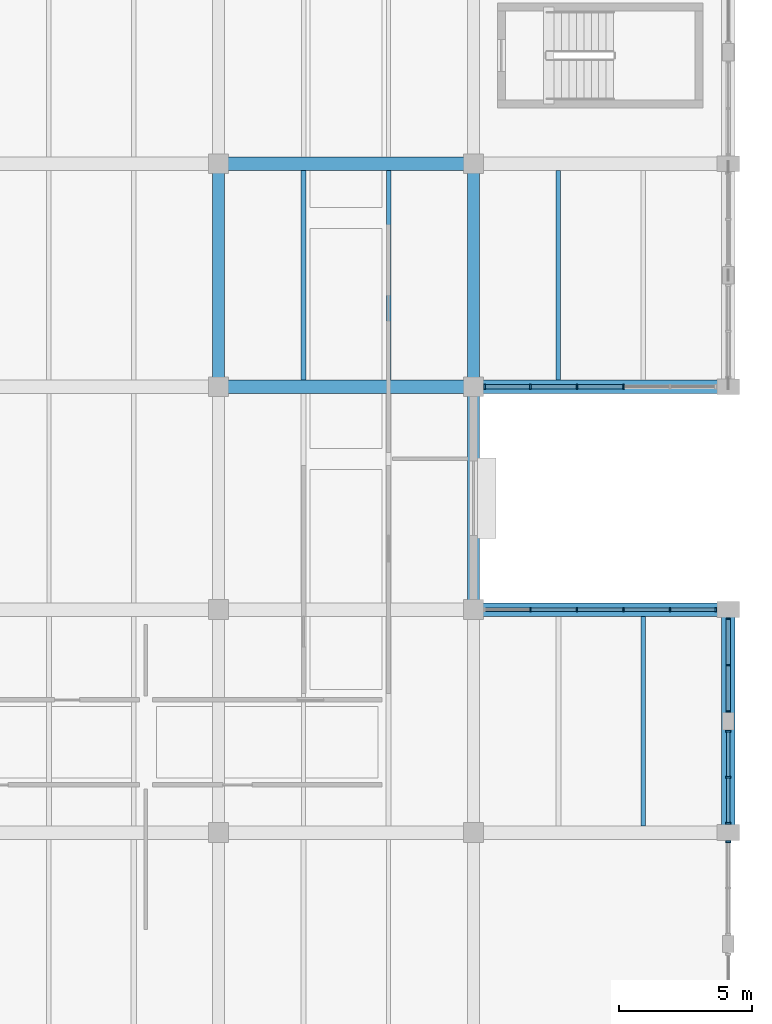
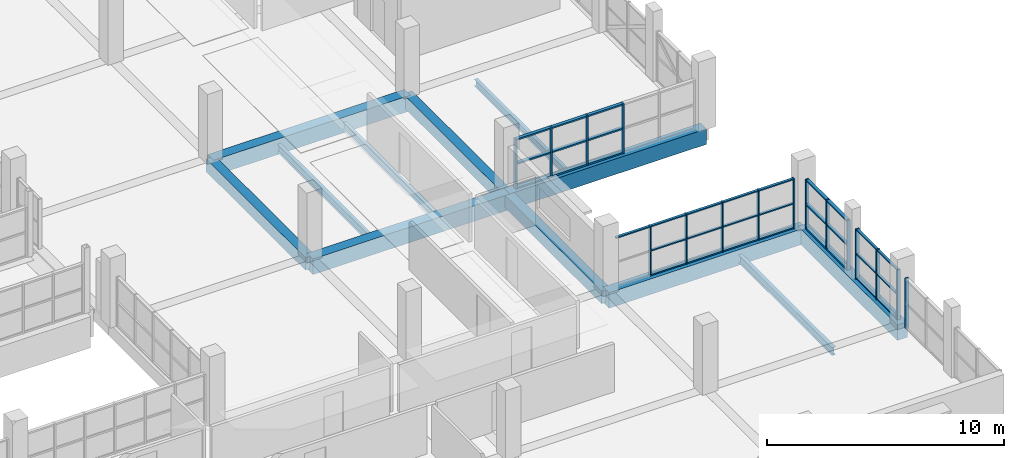
# One storey, part 69 of 147: 50 members, 12 beams, 5 elements without a shape of their own.
"""IFC4 building model written with IfcOpenShell, lengths in metres."""

from ifc_helpers import new_model, si_unit, direction, frame, origin, origin_2d, place, context, subcontext, project, spatial, rectangle, i_section, extrude, material, material_profile, profile_set, type_object, element, aggregate, save


model = new_model("IFC4")

# Units and contexts
model_context = context("Model", 3, precision=1e-05, world=origin(), true_north=direction((0.0, 1.0)))
body_context = subcontext(model_context, "Body", "Model", "MODEL_VIEW")
ifc_project = project(units=[si_unit("LENGTHUNIT", "METRE"), si_unit("AREAUNIT", "SQUARE_METRE"), si_unit("VOLUMEUNIT", "CUBIC_METRE"), si_unit("PLANEANGLEUNIT", "RADIAN"), si_unit("MASSUNIT", "GRAM", prefix="KILO")], contexts=[model_context])

# Site, building, storey
site_placement = place(None, origin())
site = spatial("IfcSite", under=ifc_project, at=site_placement, CompositionType="ELEMENT")
building_placement = place(site_placement, origin())
building = spatial("IfcBuilding", under=site, at=building_placement, Name="Oolite Switchyard Hospital", CompositionType="ELEMENT")
storey_placement = place(building_placement, frame((0.0, 0.0, 9.89990234375)))
storey = spatial("IfcBuildingStorey", under=building, at=storey_placement, Name="L02", CompositionType="ELEMENT", Elevation=9.89990234375)

# Beams
ifc_material_1 = material(Name="Concrete C40/50", Category="concrete")
ifc_material_profile_1 = material_profile(ifc_material_1, rectangle(XDim=0.449951171875, YDim=0.64990234375, at=origin_2d()), Name="RCB450X650")
ifc_profile_set_1 = profile_set([ifc_material_profile_1], Name="Concrete C40/50")
beam_type_1 = type_object("IfcBeamType", Name="BM-RC450X650", PredefinedType="BEAM", material=ifc_profile_set_1)
beam_1_placement = place(storey_placement, frame((192.0, 33.60009765625, -0.324951171875), z_axis=(0.0, 1.0, 0.0), x_axis=(-1.0, 0.0, 0.0)))
element("IfcBeam", 1, at=beam_1_placement, inside=storey, type_object=beam_type_1, Name="L02 Y-Girder 1482", PredefinedType="BEAM", context=body_context, shape_type="SweptSolid", body=[
    extrude(rectangle(XDim=0.449951171875, YDim=0.64990234375, at=origin_2d()), origin(), (0.0, 0.0, 1.0), 8.39990234375),
])
beam_2_placement = place(storey_placement, frame((201.60009765625, 25.199951171875, -0.324951171875), z_axis=(0.0, 1.0, 0.0), x_axis=(-1.0, 0.0, 0.0)))
element("IfcBeam", 2, at=beam_2_placement, inside=storey, type_object=beam_type_1, Name="L02 Y-Girder 1493", PredefinedType="BEAM", context=body_context, shape_type="SweptSolid", body=[
    extrude(rectangle(XDim=0.449951171875, YDim=0.64990234375, at=origin_2d()), origin(), (0.0, 0.0, 1.0), 8.400146484375),
])
beam_3_placement = place(storey_placement, frame((201.60009765625, 33.60009765625, -0.324951171875), z_axis=(0.0, 1.0, 0.0), x_axis=(-1.0, 0.0, 0.0)))
element("IfcBeam", 3, at=beam_3_placement, inside=storey, type_object=beam_type_1, Name="L02 Y-Girder 1494", PredefinedType="BEAM", context=body_context, shape_type="SweptSolid", body=[
    extrude(rectangle(XDim=0.449951171875, YDim=0.64990234375, at=origin_2d()), origin(), (0.0, 0.0, 1.0), 8.39990234375),
])
ifc_material_profile_2 = material_profile(ifc_material_1, rectangle(XDim=0.5, YDim=0.800048828125, at=origin_2d()), Name="RCB500X800")
ifc_profile_set_2 = profile_set([ifc_material_profile_2], Name="Concrete C40/50")
beam_type_2 = type_object("IfcBeamType", Name="BM-RC500X800", PredefinedType="BEAM", material=ifc_profile_set_2)
beam_4_placement = place(storey_placement, frame((201.60009765625, 25.199951171875, -0.39990234375), z_axis=(1.0, 0.0, 0.0), x_axis=(0.0, 1.0, 0.0)))
element("IfcBeam", 4, at=beam_4_placement, inside=storey, type_object=beam_type_2, Name="L02 X-Girder 1033", PredefinedType="BEAM", context=body_context, shape_type="SweptSolid", body=[
    extrude(rectangle(XDim=0.5, YDim=0.800048828125, at=origin_2d()), origin(), (0.0, 0.0, 1.0), 9.599853515625),
])
beam_5_placement = place(storey_placement, frame((192.0, 33.60009765625, -0.39990234375), z_axis=(1.0, 0.0, 0.0), x_axis=(0.0, 1.0, 0.0)))
element("IfcBeam", 5, at=beam_5_placement, inside=storey, type_object=beam_type_2, Name="L02 X-Girder 1044", PredefinedType="BEAM", context=body_context, shape_type="SweptSolid", body=[
    extrude(rectangle(XDim=0.5, YDim=0.800048828125, at=origin_2d()), origin(), (0.0, 0.0, 1.0), 9.60009765625),
])
beam_6_placement = place(storey_placement, frame((201.60009765625, 33.60009765625, -0.39990234375), z_axis=(1.0, 0.0, 0.0), x_axis=(0.0, 1.0, 0.0)))
element("IfcBeam", 6, at=beam_6_placement, inside=storey, type_object=beam_type_2, Name="L02 X-Girder 1045", PredefinedType="BEAM", context=body_context, shape_type="SweptSolid", body=[
    extrude(rectangle(XDim=0.5, YDim=0.800048828125, at=origin_2d()), origin(), (0.0, 0.0, 1.0), 9.599853515625),
])
beam_7_placement = place(storey_placement, frame((192.0, 42.0, -0.39990234375), z_axis=(1.0, 0.0, 0.0), x_axis=(0.0, 1.0, 0.0)))
element("IfcBeam", 7, at=beam_7_placement, inside=storey, type_object=beam_type_2, Name="L02 X-Girder 1060", PredefinedType="BEAM", context=body_context, shape_type="SweptSolid", body=[
    extrude(rectangle(XDim=0.5, YDim=0.800048828125, at=origin_2d()), origin(), (0.0, 0.0, 1.0), 9.60009765625),
])
beam_8_placement = place(storey_placement, frame((211.199951171875, 16.800048828125, -0.39990234375), z_axis=(0.0, 1.0, 0.0), x_axis=(-1.0, 0.0, 0.0)))
element("IfcBeam", 8, at=beam_8_placement, inside=storey, type_object=beam_type_2, Name="L02 Y-Girder 1503", PredefinedType="BEAM", context=body_context, shape_type="SweptSolid", body=[
    extrude(rectangle(XDim=0.5, YDim=0.800048828125, at=origin_2d()), origin(), (0.0, 0.0, 1.0), 8.39990234375),
])
ifc_material_2 = material(Name="Steel ASTM A992 Grade 50", Category="steel")
ifc_material_profile_3 = material_profile(ifc_material_2, i_section(OverallWidth=0.1708984375, OverallDepth=0.35107421875, WebThickness=0.007080078125, FlangeThickness=0.010009765625, at=origin_2d()), Name="W14X30")
ifc_profile_set_3 = profile_set([ifc_material_profile_3], Name="Steel ASTM A992 Grade 50")
beam_type_3 = type_object("IfcBeamType", Name="BM-W14X30", PredefinedType="JOIST", material=ifc_profile_set_3)
for number, where, z_axis, x_axis, name in (
    (9, (198.39990234375, 33.85009765625, -0.434814453125), (0.0, 1.0, 0.0), (-1.0, 0.0, 0.0), "L02 Secondary Steel Joist 1895"),
    (10, (204.800048828125, 33.85009765625, -0.434814453125), (0.0, 1.0, 0.0), (-1.0, 0.0, 0.0), "L02 Secondary Steel Joist 1912"),
):
    element("IfcBeam", number, at=place(storey_placement, frame(where, z_axis=z_axis, x_axis=x_axis)), inside=storey, type_object=beam_type_3, Name=name, PredefinedType="JOIST", context=body_context, shape_type="SweptSolid", body=[
        extrude(i_section(OverallWidth=0.1708984375, OverallDepth=0.35107421875, WebThickness=0.007080078125, FlangeThickness=0.010009765625, at=origin_2d()), origin(), (0.0, 0.0, 1.0), 7.89990234375),
    ])
ifc_material_profile_4 = material_profile(ifc_material_2, i_section(OverallWidth=0.177978515625, OverallDepth=0.403076171875, WebThickness=0.008056640625, FlangeThickness=0.010986328125, at=origin_2d()), Name="W16X36")
ifc_profile_set_4 = profile_set([ifc_material_profile_4], Name="Steel ASTM A992 Grade 50")
beam_type_4 = type_object("IfcBeamType", Name="BM-W16X36", PredefinedType="JOIST", material=ifc_profile_set_4)
for number, where, z_axis, x_axis, name in (
    (11, (195.199951171875, 33.85009765625, -0.4609375), (0.0, 1.0, 0.0), (-1.0, 0.0, 0.0), "L02 Secondary Steel Joist 1894"),
    (12, (208.0, 17.050048828125, -0.4609375), (0.0, 1.0, 0.0), (-1.0, 0.0, 0.0), "L02 Secondary Steel Joist 1911"),
):
    element("IfcBeam", number, at=place(storey_placement, frame(where, z_axis=z_axis, x_axis=x_axis)), inside=storey, type_object=beam_type_4, Name=name, PredefinedType="JOIST", context=body_context, shape_type="SweptSolid", body=[
        extrude(i_section(OverallWidth=0.177978515625, OverallDepth=0.403076171875, WebThickness=0.008056640625, FlangeThickness=0.010986328125, at=origin_2d()), origin(), (0.0, 0.0, 1.0), 7.89990234375),
    ])

# Curtain wall, members
ifc_material_3 = material(Name="Thermally broken aluminum frame with laminated impact glazing", Category="aluminium")
curtain_wall_type_1 = type_object("IfcCurtainWallType", Name="CW-UNIT-96X36", PredefinedType="USERDEFINED", material=ifc_material_3)
curtain_wall_1_placement = place(storey_placement, origin())
curtain_wall_1 = element("IfcCurtainWall", 13, at=curtain_wall_1_placement, inside=storey, type_object=curtain_wall_type_1, Name="L02 Unitised Curtain Wall 220", ObjectType="UNITISED", PredefinedType="USERDEFINED")
ifc_material_4 = material(Name="Aluminium 6063-T6", Category="aluminium")
ifc_material_profile_5 = material_profile(ifc_material_4, rectangle(XDim=0.159912109375, YDim=0.06005859375, at=origin_2d()), Name="CWM60X160")
ifc_profile_set_5 = profile_set([ifc_material_profile_5], Name="Aluminium 6063-T6")
member_type_1 = type_object("IfcMemberType", Name="CW-MUL-180", PredefinedType="MULLION", material=ifc_profile_set_5)
member_1_placement = place(storey_placement, frame((203.743896484375, 25.199951171875, 0.0), z_axis=(0.0, 0.0, 1.0), x_axis=(0.0, 1.0, 0.0)))
member_1 = element("IfcMember", 14, at=member_1_placement, type_object=member_type_1, Name="CW-03 mullion 2", PredefinedType="MULLION", context=body_context, shape_type="SweptSolid", body=[
    extrude(rectangle(XDim=0.159912109375, YDim=0.06005859375, at=origin_2d()), origin(), (0.0, 0.0, 1.0), 2.570068359375),
])
member_2_placement = place(storey_placement, frame((205.498046875, 25.199951171875, 0.0), z_axis=(0.0, 0.0, 1.0), x_axis=(0.0, 1.0, 0.0)))
member_2 = element("IfcMember", 15, at=member_2_placement, type_object=member_type_1, Name="CW-03 mullion 3", PredefinedType="MULLION", context=body_context, shape_type="SweptSolid", body=[
    extrude(rectangle(XDim=0.159912109375, YDim=0.06005859375, at=origin_2d()), origin(), (0.0, 0.0, 1.0), 2.570068359375),
])
member_3_placement = place(storey_placement, frame((207.251953125, 25.199951171875, 0.0), z_axis=(0.0, 0.0, 1.0), x_axis=(0.0, 1.0, 0.0)))
member_3 = element("IfcMember", 16, at=member_3_placement, type_object=member_type_1, Name="CW-03 mullion 4", PredefinedType="MULLION", context=body_context, shape_type="SweptSolid", body=[
    extrude(rectangle(XDim=0.159912109375, YDim=0.06005859375, at=origin_2d()), origin(), (0.0, 0.0, 1.0), 2.570068359375),
])
member_4_placement = place(storey_placement, frame((209.006103515625, 25.199951171875, 0.0), z_axis=(0.0, 0.0, 1.0), x_axis=(0.0, 1.0, 0.0)))
member_4 = element("IfcMember", 17, at=member_4_placement, type_object=member_type_1, Name="CW-03 mullion 5", PredefinedType="MULLION", context=body_context, shape_type="SweptSolid", body=[
    extrude(rectangle(XDim=0.159912109375, YDim=0.06005859375, at=origin_2d()), origin(), (0.0, 0.0, 1.0), 2.570068359375),
])
member_5_placement = place(storey_placement, frame((210.72998046875, 25.199951171875, 0.0), z_axis=(0.0, 0.0, 1.0), x_axis=(0.0, 1.0, 0.0)))
member_5 = element("IfcMember", 18, at=member_5_placement, type_object=member_type_1, Name="CW-03 mullion 6", PredefinedType="MULLION", context=body_context, shape_type="SweptSolid", body=[
    extrude(rectangle(XDim=0.159912109375, YDim=0.06005859375, at=origin_2d()), origin(), (0.0, 0.0, 1.0), 2.570068359375),
])

curtain_wall_type_2 = type_object("IfcCurtainWallType", Name="CW-UNIT-84X36", PredefinedType="USERDEFINED", material=ifc_material_3)
curtain_wall_2_placement = place(storey_placement, origin())
curtain_wall_2 = element("IfcCurtainWall", 19, at=curtain_wall_2_placement, inside=storey, type_object=curtain_wall_type_2, Name="L02 Unitised Curtain Wall 313", ObjectType="UNITISED", PredefinedType="USERDEFINED")
member_6_placement = place(storey_placement, frame((211.199951171875, 24.85498046875, 0.0), z_axis=(0.0, 0.0, 1.0), x_axis=(1.0, 0.0, 0.0)))
member_6 = element("IfcMember", 20, at=member_6_placement, type_object=member_type_1, Name="CW-08 mullion 1", PredefinedType="MULLION", context=body_context, shape_type="SweptSolid", body=[
    extrude(rectangle(XDim=0.159912109375, YDim=0.06005859375, at=origin_2d()), origin(), (0.0, 0.0, 1.0), 2.570068359375),
])
member_7_placement = place(storey_placement, frame((211.199951171875, 23.112548828125, 0.0), z_axis=(0.0, 0.0, 1.0), x_axis=(1.0, 0.0, 0.0)))
member_7 = element("IfcMember", 21, at=member_7_placement, type_object=member_type_1, Name="CW-08 mullion 2", PredefinedType="MULLION", context=body_context, shape_type="SweptSolid", body=[
    extrude(rectangle(XDim=0.159912109375, YDim=0.06005859375, at=origin_2d()), origin(), (0.0, 0.0, 1.0), 2.570068359375),
])
member_8_placement = place(storey_placement, frame((211.199951171875, 21.3701171875, 0.0), z_axis=(0.0, 0.0, 1.0), x_axis=(1.0, 0.0, 0.0)))
member_8 = element("IfcMember", 22, at=member_8_placement, type_object=member_type_1, Name="CW-08 mullion 3", PredefinedType="MULLION", context=body_context, shape_type="SweptSolid", body=[
    extrude(rectangle(XDim=0.159912109375, YDim=0.06005859375, at=origin_2d()), origin(), (0.0, 0.0, 1.0), 2.570068359375),
])

curtain_wall_3_placement = place(storey_placement, origin())
curtain_wall_3 = element("IfcCurtainWall", 23, at=curtain_wall_3_placement, inside=storey, type_object=curtain_wall_type_1, Name="L02 Unitised Curtain Wall 227", ObjectType="UNITISED", PredefinedType="USERDEFINED")
ifc_material_profile_6 = material_profile(ifc_material_4, rectangle(XDim=0.179931640625, YDim=0.070068359375, at=origin_2d()), Name="CWM70X180")
ifc_profile_set_6 = profile_set([ifc_material_profile_6], Name="Aluminium 6063-T6")
member_type_2 = type_object("IfcMemberType", Name="CW-MUL-220", PredefinedType="MULLION", material=ifc_profile_set_6)
member_9_placement = place(storey_placement, frame((207.251953125, 33.60009765625, 0.0), z_axis=(0.0, 0.0, 1.0), x_axis=(0.0, -1.0, 0.0)))
member_9 = element("IfcMember", 24, at=member_9_placement, type_object=member_type_2, Name="CW-03 mullion 3", PredefinedType="MULLION", context=body_context, shape_type="SweptSolid", body=[
    extrude(rectangle(XDim=0.179931640625, YDim=0.070068359375, at=origin_2d()), origin(), (0.0, 0.0, 1.0), 2.570068359375),
])
member_10_placement = place(storey_placement, frame((205.498046875, 33.60009765625, 0.0), z_axis=(0.0, 0.0, 1.0), x_axis=(0.0, -1.0, 0.0)))
member_10 = element("IfcMember", 25, at=member_10_placement, type_object=member_type_2, Name="CW-03 mullion 4", PredefinedType="MULLION", context=body_context, shape_type="SweptSolid", body=[
    extrude(rectangle(XDim=0.179931640625, YDim=0.070068359375, at=origin_2d()), origin(), (0.0, 0.0, 1.0), 2.570068359375),
])
member_11_placement = place(storey_placement, frame((203.743896484375, 33.60009765625, 0.0), z_axis=(0.0, 0.0, 1.0), x_axis=(0.0, -1.0, 0.0)))
member_11 = element("IfcMember", 26, at=member_11_placement, type_object=member_type_2, Name="CW-03 mullion 5", PredefinedType="MULLION", context=body_context, shape_type="SweptSolid", body=[
    extrude(rectangle(XDim=0.179931640625, YDim=0.070068359375, at=origin_2d()), origin(), (0.0, 0.0, 1.0), 2.570068359375),
])
member_12_placement = place(storey_placement, frame((202.02490234375, 33.60009765625, 0.0), z_axis=(0.0, 0.0, 1.0), x_axis=(0.0, -1.0, 0.0)))
member_12 = element("IfcMember", 27, at=member_12_placement, type_object=member_type_2, Name="CW-03 mullion 6", PredefinedType="MULLION", context=body_context, shape_type="SweptSolid", body=[
    extrude(rectangle(XDim=0.179931640625, YDim=0.070068359375, at=origin_2d()), origin(), (0.0, 0.0, 1.0), 2.570068359375),
])

# Curtain wall, member
curtain_wall_4_placement = place(storey_placement, origin())
curtain_wall_4 = element("IfcCurtainWall", 28, at=curtain_wall_4_placement, inside=storey, type_object=curtain_wall_type_2, Name="L02 Unitised Curtain Wall 311", ObjectType="UNITISED", PredefinedType="USERDEFINED")
member_13_placement = place(storey_placement, frame((211.199951171875, 16.449951171875, 0.0), z_axis=(0.0, 0.0, 1.0), x_axis=(1.0, 0.0, 0.0)))
member_13 = element("IfcMember", 29, at=member_13_placement, type_object=member_type_2, Name="CW-08 mullion 1", PredefinedType="MULLION", context=body_context, shape_type="SweptSolid", body=[
    extrude(rectangle(XDim=0.179931640625, YDim=0.070068359375, at=origin_2d()), origin(), (0.0, 0.0, 1.0), 2.570068359375),
])
aggregate(curtain_wall_4, [member_13])

# Curtain wall, members
curtain_wall_5_placement = place(storey_placement, origin())
curtain_wall_5 = element("IfcCurtainWall", 30, at=curtain_wall_5_placement, inside=storey, type_object=curtain_wall_type_2, Name="L02 Unitised Curtain Wall 314", ObjectType="UNITISED", PredefinedType="USERDEFINED")
member_14_placement = place(storey_placement, frame((211.199951171875, 20.625, 0.0), z_axis=(0.0, 0.0, 1.0), x_axis=(1.0, 0.0, 0.0)))
member_14 = element("IfcMember", 31, at=member_14_placement, type_object=member_type_2, Name="CW-08 mullion 1", PredefinedType="MULLION", context=body_context, shape_type="SweptSolid", body=[
    extrude(rectangle(XDim=0.179931640625, YDim=0.070068359375, at=origin_2d()), origin(), (0.0, 0.0, 1.0), 2.570068359375),
])
member_15_placement = place(storey_placement, frame((211.199951171875, 18.887451171875, 0.0), z_axis=(0.0, 0.0, 1.0), x_axis=(1.0, 0.0, 0.0)))
member_15 = element("IfcMember", 32, at=member_15_placement, type_object=member_type_2, Name="CW-08 mullion 2", PredefinedType="MULLION", context=body_context, shape_type="SweptSolid", body=[
    extrude(rectangle(XDim=0.179931640625, YDim=0.070068359375, at=origin_2d()), origin(), (0.0, 0.0, 1.0), 2.570068359375),
])
member_16_placement = place(storey_placement, frame((211.199951171875, 17.14990234375, 0.0), z_axis=(0.0, 0.0, 1.0), x_axis=(1.0, 0.0, 0.0)))
member_16 = element("IfcMember", 33, at=member_16_placement, type_object=member_type_2, Name="CW-08 mullion 3", PredefinedType="MULLION", context=body_context, shape_type="SweptSolid", body=[
    extrude(rectangle(XDim=0.179931640625, YDim=0.070068359375, at=origin_2d()), origin(), (0.0, 0.0, 1.0), 2.570068359375),
])

# Member
ifc_material_profile_7 = material_profile(ifc_material_4, rectangle(XDim=0.1201171875, YDim=0.06005859375, at=origin_2d()), Name="CWT60X120")
ifc_profile_set_7 = profile_set([ifc_material_profile_7], Name="Aluminium 6063-T6")
member_type_3 = type_object("IfcMemberType", Name="CW-TRN-150", PredefinedType="USERDEFINED", material=ifc_profile_set_7)
member_17_placement = place(storey_placement, frame((202.050048828125, 25.199951171875, 2.5400390625), z_axis=(1.0, 0.0, 0.0), x_axis=(0.0, 1.0, 0.0)))
member_17 = element("IfcMember", 34, at=member_17_placement, type_object=member_type_3, Name="CW-03 transom 1.3", ObjectType="TRANSOM", PredefinedType="USERDEFINED", context=body_context, shape_type="SweptSolid", body=[
    extrude(rectangle(XDim=0.1201171875, YDim=0.06005859375, at=origin_2d()), origin(), (0.0, 0.0, 1.0), 1.6640625),
])

member_18_placement = place(storey_placement, frame((203.77392578125, 25.199951171875, 0.030029296875), z_axis=(1.0, 0.0, 0.0), x_axis=(0.0, 1.0, 0.0)))
member_18 = element("IfcMember", 35, at=member_18_placement, type_object=member_type_3, Name="CW-03 transom 2.1", ObjectType="TRANSOM", PredefinedType="USERDEFINED", context=body_context, shape_type="SweptSolid", body=[
    extrude(rectangle(XDim=0.1201171875, YDim=0.06005859375, at=origin_2d()), origin(), (0.0, 0.0, 1.0), 1.694091796875),
])

member_19_placement = place(storey_placement, frame((203.77392578125, 25.199951171875, 1.28515625), z_axis=(1.0, 0.0, 0.0), x_axis=(0.0, 1.0, 0.0)))
member_19 = element("IfcMember", 36, at=member_19_placement, type_object=member_type_3, Name="CW-03 transom 2.2", ObjectType="TRANSOM", PredefinedType="USERDEFINED", context=body_context, shape_type="SweptSolid", body=[
    extrude(rectangle(XDim=0.1201171875, YDim=0.06005859375, at=origin_2d()), origin(), (0.0, 0.0, 1.0), 1.694091796875),
])

member_20_placement = place(storey_placement, frame((203.77392578125, 25.199951171875, 2.5400390625), z_axis=(1.0, 0.0, 0.0), x_axis=(0.0, 1.0, 0.0)))
member_20 = element("IfcMember", 37, at=member_20_placement, type_object=member_type_3, Name="CW-03 transom 2.3", ObjectType="TRANSOM", PredefinedType="USERDEFINED", context=body_context, shape_type="SweptSolid", body=[
    extrude(rectangle(XDim=0.1201171875, YDim=0.06005859375, at=origin_2d()), origin(), (0.0, 0.0, 1.0), 1.694091796875),
])

member_21_placement = place(storey_placement, frame((205.528076171875, 25.199951171875, 0.030029296875), z_axis=(1.0, 0.0, 0.0), x_axis=(0.0, 1.0, 0.0)))
member_21 = element("IfcMember", 38, at=member_21_placement, type_object=member_type_3, Name="CW-03 transom 3.1", ObjectType="TRANSOM", PredefinedType="USERDEFINED", context=body_context, shape_type="SweptSolid", body=[
    extrude(rectangle(XDim=0.1201171875, YDim=0.06005859375, at=origin_2d()), origin(), (0.0, 0.0, 1.0), 1.69384765625),
])

member_22_placement = place(storey_placement, frame((205.528076171875, 25.199951171875, 1.28515625), z_axis=(1.0, 0.0, 0.0), x_axis=(0.0, 1.0, 0.0)))
member_22 = element("IfcMember", 39, at=member_22_placement, type_object=member_type_3, Name="CW-03 transom 3.2", ObjectType="TRANSOM", PredefinedType="USERDEFINED", context=body_context, shape_type="SweptSolid", body=[
    extrude(rectangle(XDim=0.1201171875, YDim=0.06005859375, at=origin_2d()), origin(), (0.0, 0.0, 1.0), 1.69384765625),
])

member_23_placement = place(storey_placement, frame((205.528076171875, 25.199951171875, 2.5400390625), z_axis=(1.0, 0.0, 0.0), x_axis=(0.0, 1.0, 0.0)))
member_23 = element("IfcMember", 40, at=member_23_placement, type_object=member_type_3, Name="CW-03 transom 3.3", ObjectType="TRANSOM", PredefinedType="USERDEFINED", context=body_context, shape_type="SweptSolid", body=[
    extrude(rectangle(XDim=0.1201171875, YDim=0.06005859375, at=origin_2d()), origin(), (0.0, 0.0, 1.0), 1.69384765625),
])

member_24_placement = place(storey_placement, frame((207.281982421875, 25.199951171875, 0.030029296875), z_axis=(1.0, 0.0, 0.0), x_axis=(0.0, 1.0, 0.0)))
member_24 = element("IfcMember", 41, at=member_24_placement, type_object=member_type_3, Name="CW-03 transom 4.1", ObjectType="TRANSOM", PredefinedType="USERDEFINED", context=body_context, shape_type="SweptSolid", body=[
    extrude(rectangle(XDim=0.1201171875, YDim=0.06005859375, at=origin_2d()), origin(), (0.0, 0.0, 1.0), 1.694091796875),
])

member_25_placement = place(storey_placement, frame((207.281982421875, 25.199951171875, 1.28515625), z_axis=(1.0, 0.0, 0.0), x_axis=(0.0, 1.0, 0.0)))
member_25 = element("IfcMember", 42, at=member_25_placement, type_object=member_type_3, Name="CW-03 transom 4.2", ObjectType="TRANSOM", PredefinedType="USERDEFINED", context=body_context, shape_type="SweptSolid", body=[
    extrude(rectangle(XDim=0.1201171875, YDim=0.06005859375, at=origin_2d()), origin(), (0.0, 0.0, 1.0), 1.694091796875),
])

member_26_placement = place(storey_placement, frame((207.281982421875, 25.199951171875, 2.5400390625), z_axis=(1.0, 0.0, 0.0), x_axis=(0.0, 1.0, 0.0)))
member_26 = element("IfcMember", 43, at=member_26_placement, type_object=member_type_3, Name="CW-03 transom 4.3", ObjectType="TRANSOM", PredefinedType="USERDEFINED", context=body_context, shape_type="SweptSolid", body=[
    extrude(rectangle(XDim=0.1201171875, YDim=0.06005859375, at=origin_2d()), origin(), (0.0, 0.0, 1.0), 1.694091796875),
])

member_27_placement = place(storey_placement, frame((209.035888671875, 25.199951171875, 0.030029296875), z_axis=(1.0, 0.0, 0.0), x_axis=(0.0, 1.0, 0.0)))
member_27 = element("IfcMember", 44, at=member_27_placement, type_object=member_type_3, Name="CW-03 transom 5.1", ObjectType="TRANSOM", PredefinedType="USERDEFINED", context=body_context, shape_type="SweptSolid", body=[
    extrude(rectangle(XDim=0.1201171875, YDim=0.06005859375, at=origin_2d()), origin(), (0.0, 0.0, 1.0), 1.6640625),
])

member_28_placement = place(storey_placement, frame((209.035888671875, 25.199951171875, 1.28515625), z_axis=(1.0, 0.0, 0.0), x_axis=(0.0, 1.0, 0.0)))
member_28 = element("IfcMember", 45, at=member_28_placement, type_object=member_type_3, Name="CW-03 transom 5.2", ObjectType="TRANSOM", PredefinedType="USERDEFINED", context=body_context, shape_type="SweptSolid", body=[
    extrude(rectangle(XDim=0.1201171875, YDim=0.06005859375, at=origin_2d()), origin(), (0.0, 0.0, 1.0), 1.6640625),
])

member_29_placement = place(storey_placement, frame((209.035888671875, 25.199951171875, 2.5400390625), z_axis=(1.0, 0.0, 0.0), x_axis=(0.0, 1.0, 0.0)))
member_29 = element("IfcMember", 46, at=member_29_placement, type_object=member_type_3, Name="CW-03 transom 5.3", ObjectType="TRANSOM", PredefinedType="USERDEFINED", context=body_context, shape_type="SweptSolid", body=[
    extrude(rectangle(XDim=0.1201171875, YDim=0.06005859375, at=origin_2d()), origin(), (0.0, 0.0, 1.0), 1.6640625),
])

aggregate(curtain_wall_1, [member_1, member_2, member_3, member_4, member_5, member_17, member_18, member_19, member_20, member_21, member_22, member_23, member_24, member_25, member_26, member_27, member_28, member_29])

member_30_placement = place(storey_placement, frame((211.199951171875, 20.590087890625, 0.030029296875), z_axis=(0.0, -1.0, 0.0), x_axis=(1.0, 0.0, 0.0)))
member_30 = element("IfcMember", 47, at=member_30_placement, type_object=member_type_3, Name="CW-08 transom 1.1", ObjectType="TRANSOM", PredefinedType="USERDEFINED", context=body_context, shape_type="SweptSolid", body=[
    extrude(rectangle(XDim=0.1201171875, YDim=0.06005859375, at=origin_2d()), origin(), (0.0, 0.0, 1.0), 1.66748046875),
])

member_31_placement = place(storey_placement, frame((211.199951171875, 20.590087890625, 1.28515625), z_axis=(0.0, -1.0, 0.0), x_axis=(1.0, 0.0, 0.0)))
member_31 = element("IfcMember", 48, at=member_31_placement, type_object=member_type_3, Name="CW-08 transom 1.2", ObjectType="TRANSOM", PredefinedType="USERDEFINED", context=body_context, shape_type="SweptSolid", body=[
    extrude(rectangle(XDim=0.1201171875, YDim=0.06005859375, at=origin_2d()), origin(), (0.0, 0.0, 1.0), 1.66748046875),
])

member_32_placement = place(storey_placement, frame((211.199951171875, 20.590087890625, 2.5400390625), z_axis=(0.0, -1.0, 0.0), x_axis=(1.0, 0.0, 0.0)))
member_32 = element("IfcMember", 49, at=member_32_placement, type_object=member_type_3, Name="CW-08 transom 1.3", ObjectType="TRANSOM", PredefinedType="USERDEFINED", context=body_context, shape_type="SweptSolid", body=[
    extrude(rectangle(XDim=0.1201171875, YDim=0.06005859375, at=origin_2d()), origin(), (0.0, 0.0, 1.0), 1.66748046875),
])

member_33_placement = place(storey_placement, frame((211.199951171875, 18.8525390625, 0.030029296875), z_axis=(0.0, -1.0, 0.0), x_axis=(1.0, 0.0, 0.0)))
member_33 = element("IfcMember", 50, at=member_33_placement, type_object=member_type_3, Name="CW-08 transom 2.1", ObjectType="TRANSOM", PredefinedType="USERDEFINED", context=body_context, shape_type="SweptSolid", body=[
    extrude(rectangle(XDim=0.1201171875, YDim=0.06005859375, at=origin_2d()), origin(), (0.0, 0.0, 1.0), 1.66748046875),
])

member_34_placement = place(storey_placement, frame((211.199951171875, 18.8525390625, 1.28515625), z_axis=(0.0, -1.0, 0.0), x_axis=(1.0, 0.0, 0.0)))
member_34 = element("IfcMember", 51, at=member_34_placement, type_object=member_type_3, Name="CW-08 transom 2.2", ObjectType="TRANSOM", PredefinedType="USERDEFINED", context=body_context, shape_type="SweptSolid", body=[
    extrude(rectangle(XDim=0.1201171875, YDim=0.06005859375, at=origin_2d()), origin(), (0.0, 0.0, 1.0), 1.66748046875),
])

member_35_placement = place(storey_placement, frame((211.199951171875, 18.8525390625, 2.5400390625), z_axis=(0.0, -1.0, 0.0), x_axis=(1.0, 0.0, 0.0)))
member_35 = element("IfcMember", 52, at=member_35_placement, type_object=member_type_3, Name="CW-08 transom 2.3", ObjectType="TRANSOM", PredefinedType="USERDEFINED", context=body_context, shape_type="SweptSolid", body=[
    extrude(rectangle(XDim=0.1201171875, YDim=0.06005859375, at=origin_2d()), origin(), (0.0, 0.0, 1.0), 1.66748046875),
])

aggregate(curtain_wall_5, [member_14, member_15, member_16, member_30, member_31, member_32, member_33, member_34, member_35])

ifc_material_profile_8 = material_profile(ifc_material_4, rectangle(XDim=0.159912109375, YDim=0.074951171875, at=origin_2d()), Name="CWT75X160")
ifc_profile_set_8 = profile_set([ifc_material_profile_8], Name="Aluminium 6063-T6")
member_type_4 = type_object("IfcMemberType", Name="CW-TRN-180", PredefinedType="USERDEFINED", material=ifc_profile_set_8)
member_36_placement = place(storey_placement, frame((207.217041015625, 33.60009765625, 0.03759765625), z_axis=(-1.0, 0.0, 0.0), x_axis=(0.0, -1.0, 0.0)))
member_36 = element("IfcMember", 53, at=member_36_placement, type_object=member_type_4, Name="CW-03 transom 3.1", ObjectType="TRANSOM", PredefinedType="USERDEFINED", context=body_context, shape_type="SweptSolid", body=[
    extrude(rectangle(XDim=0.159912109375, YDim=0.074951171875, at=origin_2d()), origin(), (0.0, 0.0, 1.0), 1.68408203125),
])

member_37_placement = place(storey_placement, frame((207.217041015625, 33.60009765625, 1.28515625), z_axis=(-1.0, 0.0, 0.0), x_axis=(0.0, -1.0, 0.0)))
member_37 = element("IfcMember", 54, at=member_37_placement, type_object=member_type_4, Name="CW-03 transom 3.2", ObjectType="TRANSOM", PredefinedType="USERDEFINED", context=body_context, shape_type="SweptSolid", body=[
    extrude(rectangle(XDim=0.159912109375, YDim=0.074951171875, at=origin_2d()), origin(), (0.0, 0.0, 1.0), 1.68408203125),
])

member_38_placement = place(storey_placement, frame((207.217041015625, 33.60009765625, 2.53271484375), z_axis=(-1.0, 0.0, 0.0), x_axis=(0.0, -1.0, 0.0)))
member_38 = element("IfcMember", 55, at=member_38_placement, type_object=member_type_4, Name="CW-03 transom 3.3", ObjectType="TRANSOM", PredefinedType="USERDEFINED", context=body_context, shape_type="SweptSolid", body=[
    extrude(rectangle(XDim=0.159912109375, YDim=0.074951171875, at=origin_2d()), origin(), (0.0, 0.0, 1.0), 1.68408203125),
])

member_39_placement = place(storey_placement, frame((205.462890625, 33.60009765625, 0.03759765625), z_axis=(-1.0, 0.0, 0.0), x_axis=(0.0, -1.0, 0.0)))
member_39 = element("IfcMember", 56, at=member_39_placement, type_object=member_type_4, Name="CW-03 transom 4.1", ObjectType="TRANSOM", PredefinedType="USERDEFINED", context=body_context, shape_type="SweptSolid", body=[
    extrude(rectangle(XDim=0.159912109375, YDim=0.074951171875, at=origin_2d()), origin(), (0.0, 0.0, 1.0), 1.683837890625),
])

member_40_placement = place(storey_placement, frame((205.462890625, 33.60009765625, 1.28515625), z_axis=(-1.0, 0.0, 0.0), x_axis=(0.0, -1.0, 0.0)))
member_40 = element("IfcMember", 57, at=member_40_placement, type_object=member_type_4, Name="CW-03 transom 4.2", ObjectType="TRANSOM", PredefinedType="USERDEFINED", context=body_context, shape_type="SweptSolid", body=[
    extrude(rectangle(XDim=0.159912109375, YDim=0.074951171875, at=origin_2d()), origin(), (0.0, 0.0, 1.0), 1.683837890625),
])

member_41_placement = place(storey_placement, frame((205.462890625, 33.60009765625, 2.53271484375), z_axis=(-1.0, 0.0, 0.0), x_axis=(0.0, -1.0, 0.0)))
member_41 = element("IfcMember", 58, at=member_41_placement, type_object=member_type_4, Name="CW-03 transom 4.3", ObjectType="TRANSOM", PredefinedType="USERDEFINED", context=body_context, shape_type="SweptSolid", body=[
    extrude(rectangle(XDim=0.159912109375, YDim=0.074951171875, at=origin_2d()), origin(), (0.0, 0.0, 1.0), 1.683837890625),
])

member_42_placement = place(storey_placement, frame((203.708984375, 33.60009765625, 0.03759765625), z_axis=(-1.0, 0.0, 0.0), x_axis=(0.0, -1.0, 0.0)))
member_42 = element("IfcMember", 59, at=member_42_placement, type_object=member_type_4, Name="CW-03 transom 5.1", ObjectType="TRANSOM", PredefinedType="USERDEFINED", context=body_context, shape_type="SweptSolid", body=[
    extrude(rectangle(XDim=0.159912109375, YDim=0.074951171875, at=origin_2d()), origin(), (0.0, 0.0, 1.0), 1.64892578125),
])

member_43_placement = place(storey_placement, frame((203.708984375, 33.60009765625, 1.28515625), z_axis=(-1.0, 0.0, 0.0), x_axis=(0.0, -1.0, 0.0)))
member_43 = element("IfcMember", 60, at=member_43_placement, type_object=member_type_4, Name="CW-03 transom 5.2", ObjectType="TRANSOM", PredefinedType="USERDEFINED", context=body_context, shape_type="SweptSolid", body=[
    extrude(rectangle(XDim=0.159912109375, YDim=0.074951171875, at=origin_2d()), origin(), (0.0, 0.0, 1.0), 1.64892578125),
])

member_44_placement = place(storey_placement, frame((203.708984375, 33.60009765625, 2.53271484375), z_axis=(-1.0, 0.0, 0.0), x_axis=(0.0, -1.0, 0.0)))
member_44 = element("IfcMember", 61, at=member_44_placement, type_object=member_type_4, Name="CW-03 transom 5.3", ObjectType="TRANSOM", PredefinedType="USERDEFINED", context=body_context, shape_type="SweptSolid", body=[
    extrude(rectangle(XDim=0.159912109375, YDim=0.074951171875, at=origin_2d()), origin(), (0.0, 0.0, 1.0), 1.64892578125),
])

aggregate(curtain_wall_3, [member_9, member_10, member_11, member_12, member_36, member_37, member_38, member_39, member_40, member_41, member_42, member_43, member_44])

member_45_placement = place(storey_placement, frame((211.199951171875, 24.824951171875, 0.03759765625), z_axis=(0.0, -1.0, 0.0), x_axis=(1.0, 0.0, 0.0)))
member_45 = element("IfcMember", 62, at=member_45_placement, type_object=member_type_4, Name="CW-08 transom 1.1", ObjectType="TRANSOM", PredefinedType="USERDEFINED", context=body_context, shape_type="SweptSolid", body=[
    extrude(rectangle(XDim=0.159912109375, YDim=0.074951171875, at=origin_2d()), origin(), (0.0, 0.0, 1.0), 1.682373046875),
])

member_46_placement = place(storey_placement, frame((211.199951171875, 24.824951171875, 1.28515625), z_axis=(0.0, -1.0, 0.0), x_axis=(1.0, 0.0, 0.0)))
member_46 = element("IfcMember", 63, at=member_46_placement, type_object=member_type_4, Name="CW-08 transom 1.2", ObjectType="TRANSOM", PredefinedType="USERDEFINED", context=body_context, shape_type="SweptSolid", body=[
    extrude(rectangle(XDim=0.159912109375, YDim=0.074951171875, at=origin_2d()), origin(), (0.0, 0.0, 1.0), 1.682373046875),
])

member_47_placement = place(storey_placement, frame((211.199951171875, 24.824951171875, 2.53271484375), z_axis=(0.0, -1.0, 0.0), x_axis=(1.0, 0.0, 0.0)))
member_47 = element("IfcMember", 64, at=member_47_placement, type_object=member_type_4, Name="CW-08 transom 1.3", ObjectType="TRANSOM", PredefinedType="USERDEFINED", context=body_context, shape_type="SweptSolid", body=[
    extrude(rectangle(XDim=0.159912109375, YDim=0.074951171875, at=origin_2d()), origin(), (0.0, 0.0, 1.0), 1.682373046875),
])

member_48_placement = place(storey_placement, frame((211.199951171875, 23.08251953125, 0.03759765625), z_axis=(0.0, -1.0, 0.0), x_axis=(1.0, 0.0, 0.0)))
member_48 = element("IfcMember", 65, at=member_48_placement, type_object=member_type_4, Name="CW-08 transom 2.1", ObjectType="TRANSOM", PredefinedType="USERDEFINED", context=body_context, shape_type="SweptSolid", body=[
    extrude(rectangle(XDim=0.159912109375, YDim=0.074951171875, at=origin_2d()), origin(), (0.0, 0.0, 1.0), 1.6826171875),
])

member_49_placement = place(storey_placement, frame((211.199951171875, 23.08251953125, 1.28515625), z_axis=(0.0, -1.0, 0.0), x_axis=(1.0, 0.0, 0.0)))
member_49 = element("IfcMember", 66, at=member_49_placement, type_object=member_type_4, Name="CW-08 transom 2.2", ObjectType="TRANSOM", PredefinedType="USERDEFINED", context=body_context, shape_type="SweptSolid", body=[
    extrude(rectangle(XDim=0.159912109375, YDim=0.074951171875, at=origin_2d()), origin(), (0.0, 0.0, 1.0), 1.6826171875),
])

member_50_placement = place(storey_placement, frame((211.199951171875, 23.08251953125, 2.53271484375), z_axis=(0.0, -1.0, 0.0), x_axis=(1.0, 0.0, 0.0)))
member_50 = element("IfcMember", 67, at=member_50_placement, type_object=member_type_4, Name="CW-08 transom 2.3", ObjectType="TRANSOM", PredefinedType="USERDEFINED", context=body_context, shape_type="SweptSolid", body=[
    extrude(rectangle(XDim=0.159912109375, YDim=0.074951171875, at=origin_2d()), origin(), (0.0, 0.0, 1.0), 1.6826171875),
])

aggregate(curtain_wall_2, [member_6, member_7, member_8, member_45, member_46, member_47, member_48, member_49, member_50])

save(model, "model.ifc")
